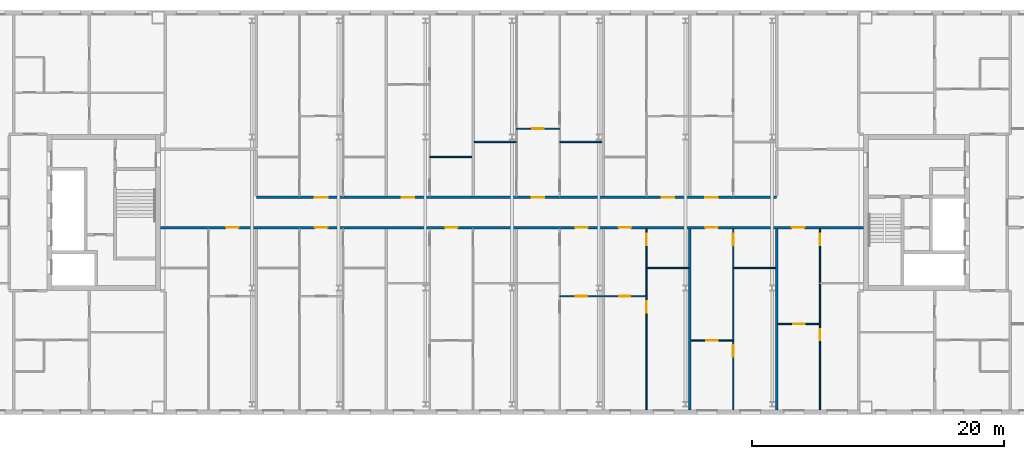
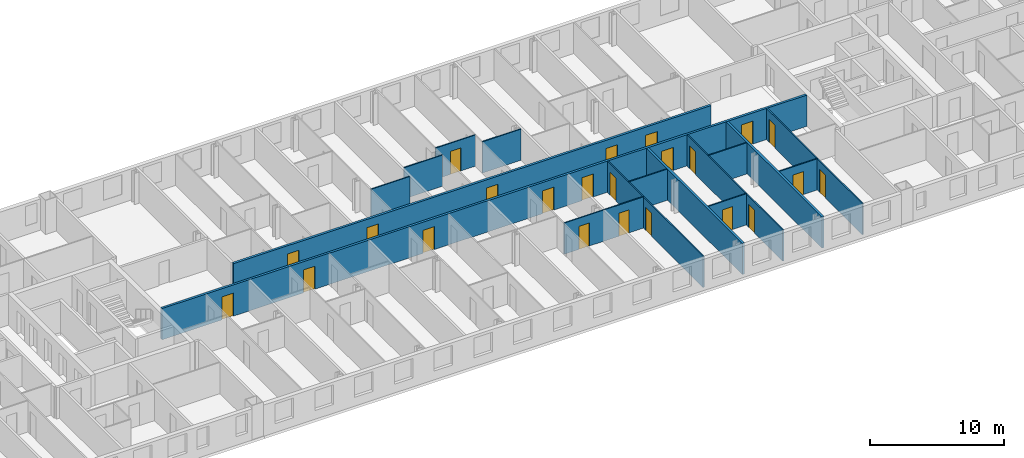
# One storey, part 11 of 19: 23 doors, 16 walls, 23 openings.
"""IFC4 building model written with IfcOpenShell, lengths in metres."""

from ifc_helpers import new_model, si_unit, direction, frame, frame_2d, origin, place, context, subcontext, project, spatial, rectangle, extrude, material, layer, layer_set, type_object, element, fill, save


model = new_model("IFC4")

# Units and contexts
model_context = context("Model", 3, precision=1e-05, world=origin(), true_north=direction((0.0, 1.0)))
body_context = subcontext(model_context, "Body", "Model", "MODEL_VIEW")
ifc_project = project(units=[si_unit("LENGTHUNIT", "METRE"), si_unit("AREAUNIT", "SQUARE_METRE"), si_unit("VOLUMEUNIT", "CUBIC_METRE"), si_unit("PLANEANGLEUNIT", "RADIAN"), si_unit("MASSUNIT", "GRAM", prefix="KILO")], contexts=[model_context])

# Site, building, storey
site_placement = place(None, origin())
site = spatial("IfcSite", under=ifc_project, at=site_placement, CompositionType="ELEMENT")
building_placement = place(site_placement, origin())
building = spatial("IfcBuilding", under=site, at=building_placement, Name="Tuart Gate Housing", CompositionType="ELEMENT")
storey_placement = place(building_placement, frame((0.0, 0.0, 205.89990234375)))
storey = spatial("IfcBuildingStorey", under=building, at=storey_placement, Name="L58", CompositionType="ELEMENT", Elevation=205.89990234375)

# Wall, openings, doors
ifc_material_1 = material(Name="Concrete masonry 15 MPa", Category="masonry")
ifc_layer_1 = layer(ifc_material_1, 0.199951171875)
ifc_layer_set_1 = layer_set([ifc_layer_1], Name="Corridor wall masonry 200")
wall_type_1 = type_object("IfcWallType", Name="Corridor wall masonry 200", PredefinedType="PARTITIONING", material=ifc_layer_set_1)
wall_1_placement = place(storey_placement, frame((75.639892578125, 68.800048828125, 0.0), z_axis=(0.0, 0.0, 1.0), x_axis=(1.0, 0.0, 0.0)))
wall_1 = element("IfcWall", 1, at=wall_1_placement, inside=storey, type_object=wall_type_1, Name="Corridor wall masonry 200", PredefinedType="PARTITIONING", context=body_context, shape_type="SweptSolid", body=[
    extrude(rectangle(XDim=55.72021484375, YDim=0.199951171875, at=frame_2d((27.860107421875, 0.0))), origin(), (0.0, 0.0, 1.0), 2.85009765625),
])
opening_1_placement = place(wall_1_placement, frame((5.19140625, 0.0, 0.0)))
opening_1 = element("IfcOpeningElement", 2, at=opening_1_placement, cuts=wall_1, Name="Opening D2028", PredefinedType="OPENING", context=body_context, shape_type="SweptSolid", body=[
    extrude(rectangle(XDim=1.0, YDim=2.10009765625, at=frame_2d((0.5, 1.050048828125))), frame((0.0, 0.10986328125, 0.0), z_axis=(0.0, -1.0, 0.0), x_axis=(1.0, 0.0, 0.0)), (0.0, 0.0, 1.0), 0.219970703125),
])
opening_2_placement = place(wall_1_placement, frame((12.240966796875, 0.0, 0.0)))
opening_2 = element("IfcOpeningElement", 3, at=opening_2_placement, cuts=wall_1, Name="Opening D2029", PredefinedType="OPENING", context=body_context, shape_type="SweptSolid", body=[
    extrude(rectangle(XDim=1.0, YDim=2.10009765625, at=frame_2d((0.5, 1.050048828125))), frame((0.0, 0.10986328125, 0.0), z_axis=(0.0, -1.0, 0.0), x_axis=(1.0, 0.0, 0.0)), (0.0, 0.0, 1.0), 0.219970703125),
])
opening_3_placement = place(wall_1_placement, frame((22.553466796875, 0.0, 0.0)))
opening_3 = element("IfcOpeningElement", 4, at=opening_3_placement, cuts=wall_1, Name="Opening D2030", PredefinedType="OPENING", context=body_context, shape_type="SweptSolid", body=[
    extrude(rectangle(XDim=1.0, YDim=2.10009765625, at=frame_2d((0.5, 1.050048828125))), frame((0.0, 0.10986328125, 0.0), z_axis=(0.0, -1.0, 0.0), x_axis=(1.0, 0.0, 0.0)), (0.0, 0.0, 1.0), 0.219970703125),
])
opening_4_placement = place(wall_1_placement, frame((32.865966796875, 0.0, 0.0)))
opening_4 = element("IfcOpeningElement", 5, at=opening_4_placement, cuts=wall_1, Name="Opening D2031", PredefinedType="OPENING", context=body_context, shape_type="SweptSolid", body=[
    extrude(rectangle(XDim=1.0, YDim=2.10009765625, at=frame_2d((0.5, 1.050048828125))), frame((0.0, 0.10986328125, 0.0), z_axis=(0.0, -1.0, 0.0), x_axis=(1.0, 0.0, 0.0)), (0.0, 0.0, 1.0), 0.219970703125),
])
opening_5_placement = place(wall_1_placement, frame((36.303466796875, 0.0, 0.0)))
opening_5 = element("IfcOpeningElement", 6, at=opening_5_placement, cuts=wall_1, Name="Opening D2032", PredefinedType="OPENING", context=body_context, shape_type="SweptSolid", body=[
    extrude(rectangle(XDim=1.0, YDim=2.10009765625, at=frame_2d((0.5, 1.050048828125))), frame((0.0, 0.10986328125, 0.0), z_axis=(0.0, -1.0, 0.0), x_axis=(1.0, 0.0, 0.0)), (0.0, 0.0, 1.0), 0.219970703125),
])
opening_6_placement = place(wall_1_placement, frame((43.178466796875, 0.0, 0.0)))
opening_6 = element("IfcOpeningElement", 7, at=opening_6_placement, cuts=wall_1, Name="Opening D2033", PredefinedType="OPENING", context=body_context, shape_type="SweptSolid", body=[
    extrude(rectangle(XDim=1.0, YDim=2.10009765625, at=frame_2d((0.5, 1.050048828125))), frame((0.0, 0.10986328125, 0.0), z_axis=(0.0, -1.0, 0.0), x_axis=(1.0, 0.0, 0.0)), (0.0, 0.0, 1.0), 0.219970703125),
])
opening_7_placement = place(wall_1_placement, frame((50.053466796875, 0.0, 0.0)))
opening_7 = element("IfcOpeningElement", 8, at=opening_7_placement, cuts=wall_1, Name="Opening D2034", PredefinedType="OPENING", context=body_context, shape_type="SweptSolid", body=[
    extrude(rectangle(XDim=1.0, YDim=2.10009765625, at=frame_2d((0.5, 1.050048828125))), frame((0.0, 0.10986328125, 0.0), z_axis=(0.0, -1.0, 0.0), x_axis=(1.0, 0.0, 0.0)), (0.0, 0.0, 1.0), 0.219970703125),
])
ifc_material_2 = material(Name="Timber door leaf in steel frame", Category="steel")
door_type_1 = type_object("IfcDoorType", Name="Flat entrance door 1000 RH", OperationType="SINGLE_SWING_RIGHT", PredefinedType="DOOR", material=ifc_material_2)
door_1_placement = place(opening_1_placement, frame((1.0, 0.0, 0.0), z_axis=(0.0, 0.0, 1.0), x_axis=(-1.0, 0.0, 0.0)))
door_1 = element("IfcDoor", 9, at=door_1_placement, inside=storey, type_object=door_type_1, Name="Flat entrance door", OperationType="SINGLE_SWING_RIGHT", OverallHeight=2.10009765625, OverallWidth=1.0, PredefinedType="DOOR", context=body_context, shape_type="SweptSolid", body=[
    extrude(rectangle(XDim=1.0, YDim=2.10009765625, at=frame_2d((0.5, 1.050048828125))), frame((0.0, 0.025146484375, 0.0), z_axis=(0.0, -1.0, 0.0), x_axis=(1.0, 0.0, 0.0)), (0.0, 0.0, 1.0), 0.050048828125),
])
fill(opening_1, door_1)
door_2_placement = place(opening_2_placement, frame((1.0, 0.0, 0.0), z_axis=(0.0, 0.0, 1.0), x_axis=(-1.0, 0.0, 0.0)))
door_2 = element("IfcDoor", 10, at=door_2_placement, inside=storey, type_object=door_type_1, Name="Flat entrance door", OperationType="SINGLE_SWING_RIGHT", OverallHeight=2.10009765625, OverallWidth=1.0, PredefinedType="DOOR", context=body_context, shape_type="SweptSolid", body=[
    extrude(rectangle(XDim=1.0, YDim=2.10009765625, at=frame_2d((0.5, 1.050048828125))), frame((0.0, 0.025146484375, 0.0), z_axis=(0.0, -1.0, 0.0), x_axis=(1.0, 0.0, 0.0)), (0.0, 0.0, 1.0), 0.050048828125),
])
fill(opening_2, door_2)
door_3_placement = place(opening_3_placement, frame((1.0, 0.0, 0.0), z_axis=(0.0, 0.0, 1.0), x_axis=(-1.0, 0.0, 0.0)))
door_3 = element("IfcDoor", 11, at=door_3_placement, inside=storey, type_object=door_type_1, Name="Flat entrance door", OperationType="SINGLE_SWING_RIGHT", OverallHeight=2.10009765625, OverallWidth=1.0, PredefinedType="DOOR", context=body_context, shape_type="SweptSolid", body=[
    extrude(rectangle(XDim=1.0, YDim=2.10009765625, at=frame_2d((0.5, 1.050048828125))), frame((0.0, 0.025146484375, 0.0), z_axis=(0.0, -1.0, 0.0), x_axis=(1.0, 0.0, 0.0)), (0.0, 0.0, 1.0), 0.050048828125),
])
fill(opening_3, door_3)
door_4_placement = place(opening_4_placement, frame((1.0, 0.0, 0.0), z_axis=(0.0, 0.0, 1.0), x_axis=(-1.0, 0.0, 0.0)))
door_4 = element("IfcDoor", 12, at=door_4_placement, inside=storey, type_object=door_type_1, Name="Flat entrance door", OperationType="SINGLE_SWING_RIGHT", OverallHeight=2.10009765625, OverallWidth=1.0, PredefinedType="DOOR", context=body_context, shape_type="SweptSolid", body=[
    extrude(rectangle(XDim=1.0, YDim=2.10009765625, at=frame_2d((0.5, 1.050048828125))), frame((0.0, 0.025146484375, 0.0), z_axis=(0.0, -1.0, 0.0), x_axis=(1.0, 0.0, 0.0)), (0.0, 0.0, 1.0), 0.050048828125),
])
fill(opening_4, door_4)
door_5_placement = place(opening_5_placement, frame((1.0, 0.0, 0.0), z_axis=(0.0, 0.0, 1.0), x_axis=(-1.0, 0.0, 0.0)))
door_5 = element("IfcDoor", 13, at=door_5_placement, inside=storey, type_object=door_type_1, Name="Flat entrance door", OperationType="SINGLE_SWING_RIGHT", OverallHeight=2.10009765625, OverallWidth=1.0, PredefinedType="DOOR", context=body_context, shape_type="SweptSolid", body=[
    extrude(rectangle(XDim=1.0, YDim=2.10009765625, at=frame_2d((0.5, 1.050048828125))), frame((0.0, 0.025146484375, 0.0), z_axis=(0.0, -1.0, 0.0), x_axis=(1.0, 0.0, 0.0)), (0.0, 0.0, 1.0), 0.050048828125),
])
fill(opening_5, door_5)
door_6_placement = place(opening_6_placement, frame((1.0, 0.0, 0.0), z_axis=(0.0, 0.0, 1.0), x_axis=(-1.0, 0.0, 0.0)))
door_6 = element("IfcDoor", 14, at=door_6_placement, inside=storey, type_object=door_type_1, Name="Flat entrance door", OperationType="SINGLE_SWING_RIGHT", OverallHeight=2.10009765625, OverallWidth=1.0, PredefinedType="DOOR", context=body_context, shape_type="SweptSolid", body=[
    extrude(rectangle(XDim=1.0, YDim=2.10009765625, at=frame_2d((0.5, 1.050048828125))), frame((0.0, 0.025146484375, 0.0), z_axis=(0.0, -1.0, 0.0), x_axis=(1.0, 0.0, 0.0)), (0.0, 0.0, 1.0), 0.050048828125),
])
fill(opening_6, door_6)
door_7_placement = place(opening_7_placement, frame((1.0, 0.0, 0.0), z_axis=(0.0, 0.0, 1.0), x_axis=(-1.0, 0.0, 0.0)))
door_7 = element("IfcDoor", 15, at=door_7_placement, inside=storey, type_object=door_type_1, Name="Flat entrance door", OperationType="SINGLE_SWING_RIGHT", OverallHeight=2.10009765625, OverallWidth=1.0, PredefinedType="DOOR", context=body_context, shape_type="SweptSolid", body=[
    extrude(rectangle(XDim=1.0, YDim=2.10009765625, at=frame_2d((0.5, 1.050048828125))), frame((0.0, 0.025146484375, 0.0), z_axis=(0.0, -1.0, 0.0), x_axis=(1.0, 0.0, 0.0)), (0.0, 0.0, 1.0), 0.050048828125),
])
fill(opening_7, door_7)

wall_2_placement = place(storey_placement, frame((83.22509765625, 71.199951171875, 0.0), z_axis=(0.0, 0.0, 1.0), x_axis=(1.0, 0.0, 0.0)))
wall_2 = element("IfcWall", 16, at=wall_2_placement, inside=storey, type_object=wall_type_1, Name="Corridor wall masonry 200", PredefinedType="PARTITIONING", context=body_context, shape_type="SweptSolid", body=[
    extrude(rectangle(XDim=41.25, YDim=0.199951171875, at=frame_2d((20.625, 0.0))), origin(), (0.0, 0.0, 1.0), 2.85009765625),
])
opening_8_placement = place(wall_2_placement, frame((4.656005859375, 0.0, 0.0)))
opening_8 = element("IfcOpeningElement", 17, at=opening_8_placement, cuts=wall_2, Name="Opening D2023", PredefinedType="OPENING", context=body_context, shape_type="SweptSolid", body=[
    extrude(rectangle(XDim=1.0, YDim=2.10009765625, at=frame_2d((0.5, 1.050048828125))), frame((0.0, 0.10986328125, 0.0), z_axis=(0.0, -1.0, 0.0), x_axis=(1.0, 0.0, 0.0)), (0.0, 0.0, 1.0), 0.219970703125),
])
opening_9_placement = place(wall_2_placement, frame((11.531005859375, 0.0, 0.0)))
opening_9 = element("IfcOpeningElement", 18, at=opening_9_placement, cuts=wall_2, Name="Opening D2024", PredefinedType="OPENING", context=body_context, shape_type="SweptSolid", body=[
    extrude(rectangle(XDim=1.0, YDim=2.10009765625, at=frame_2d((0.5, 1.050048828125))), frame((0.0, 0.10986328125, 0.0), z_axis=(0.0, -1.0, 0.0), x_axis=(1.0, 0.0, 0.0)), (0.0, 0.0, 1.0), 0.219970703125),
])
opening_10_placement = place(wall_2_placement, frame((21.843505859375, 0.0, 0.0)))
opening_10 = element("IfcOpeningElement", 19, at=opening_10_placement, cuts=wall_2, Name="Opening D2025", PredefinedType="OPENING", context=body_context, shape_type="SweptSolid", body=[
    extrude(rectangle(XDim=1.0, YDim=2.10009765625, at=frame_2d((0.5, 1.050048828125))), frame((0.0, 0.10986328125, 0.0), z_axis=(0.0, -1.0, 0.0), x_axis=(1.0, 0.0, 0.0)), (0.0, 0.0, 1.0), 0.219970703125),
])
opening_11_placement = place(wall_2_placement, frame((32.156005859375, 0.0, 0.0)))
opening_11 = element("IfcOpeningElement", 20, at=opening_11_placement, cuts=wall_2, Name="Opening D2026", PredefinedType="OPENING", context=body_context, shape_type="SweptSolid", body=[
    extrude(rectangle(XDim=1.0, YDim=2.10009765625, at=frame_2d((0.5, 1.050048828125))), frame((0.0, 0.10986328125, 0.0), z_axis=(0.0, -1.0, 0.0), x_axis=(1.0, 0.0, 0.0)), (0.0, 0.0, 1.0), 0.219970703125),
])
opening_12_placement = place(wall_2_placement, frame((35.593505859375, 0.0, 0.0)))
opening_12 = element("IfcOpeningElement", 21, at=opening_12_placement, cuts=wall_2, Name="Opening D2027", PredefinedType="OPENING", context=body_context, shape_type="SweptSolid", body=[
    extrude(rectangle(XDim=1.0, YDim=2.10009765625, at=frame_2d((0.5, 1.050048828125))), frame((0.0, 0.10986328125, 0.0), z_axis=(0.0, -1.0, 0.0), x_axis=(1.0, 0.0, 0.0)), (0.0, 0.0, 1.0), 0.219970703125),
])
ifc_material_3 = material(Name="Timber door leaf in steel frame", Category="steel")
door_type_2 = type_object("IfcDoorType", Name="Flat entrance door 1000", OperationType="SINGLE_SWING_LEFT", PredefinedType="DOOR", material=ifc_material_3)
door_8_placement = place(opening_8_placement, origin())
door_8 = element("IfcDoor", 22, at=door_8_placement, inside=storey, type_object=door_type_2, Name="Flat entrance door", OperationType="SINGLE_SWING_LEFT", OverallHeight=2.10009765625, OverallWidth=1.0, PredefinedType="DOOR", context=body_context, shape_type="SweptSolid", body=[
    extrude(rectangle(XDim=1.0, YDim=2.10009765625, at=frame_2d((0.5, 1.050048828125))), frame((0.0, 0.02490234375, 0.0), z_axis=(0.0, -1.0, 0.0), x_axis=(1.0, 0.0, 0.0)), (0.0, 0.0, 1.0), 0.050048828125),
])
fill(opening_8, door_8)
door_9_placement = place(opening_9_placement, origin())
door_9 = element("IfcDoor", 23, at=door_9_placement, inside=storey, type_object=door_type_2, Name="Flat entrance door", OperationType="SINGLE_SWING_LEFT", OverallHeight=2.10009765625, OverallWidth=1.0, PredefinedType="DOOR", context=body_context, shape_type="SweptSolid", body=[
    extrude(rectangle(XDim=1.0, YDim=2.10009765625, at=frame_2d((0.5, 1.050048828125))), frame((0.0, 0.02490234375, 0.0), z_axis=(0.0, -1.0, 0.0), x_axis=(1.0, 0.0, 0.0)), (0.0, 0.0, 1.0), 0.050048828125),
])
fill(opening_9, door_9)
door_10_placement = place(opening_10_placement, origin())
door_10 = element("IfcDoor", 24, at=door_10_placement, inside=storey, type_object=door_type_2, Name="Flat entrance door", OperationType="SINGLE_SWING_LEFT", OverallHeight=2.10009765625, OverallWidth=1.0, PredefinedType="DOOR", context=body_context, shape_type="SweptSolid", body=[
    extrude(rectangle(XDim=1.0, YDim=2.10009765625, at=frame_2d((0.5, 1.050048828125))), frame((0.0, 0.02490234375, 0.0), z_axis=(0.0, -1.0, 0.0), x_axis=(1.0, 0.0, 0.0)), (0.0, 0.0, 1.0), 0.050048828125),
])
fill(opening_10, door_10)
door_11_placement = place(opening_11_placement, origin())
door_11 = element("IfcDoor", 25, at=door_11_placement, inside=storey, type_object=door_type_2, Name="Flat entrance door", OperationType="SINGLE_SWING_LEFT", OverallHeight=2.10009765625, OverallWidth=1.0, PredefinedType="DOOR", context=body_context, shape_type="SweptSolid", body=[
    extrude(rectangle(XDim=1.0, YDim=2.10009765625, at=frame_2d((0.5, 1.050048828125))), frame((0.0, 0.02490234375, 0.0), z_axis=(0.0, -1.0, 0.0), x_axis=(1.0, 0.0, 0.0)), (0.0, 0.0, 1.0), 0.050048828125),
])
fill(opening_11, door_11)
door_12_placement = place(opening_12_placement, origin())
door_12 = element("IfcDoor", 26, at=door_12_placement, inside=storey, type_object=door_type_2, Name="Flat entrance door", OperationType="SINGLE_SWING_LEFT", OverallHeight=2.10009765625, OverallWidth=1.0, PredefinedType="DOOR", context=body_context, shape_type="SweptSolid", body=[
    extrude(rectangle(XDim=1.0, YDim=2.10009765625, at=frame_2d((0.5, 1.050048828125))), frame((0.0, 0.02490234375, 0.0), z_axis=(0.0, -1.0, 0.0), x_axis=(1.0, 0.0, 0.0)), (0.0, 0.0, 1.0), 0.050048828125),
])
fill(opening_12, door_12)

# Wall, opening, door
ifc_material_4 = material(Name="Gypsum board on steel studs", Category="steel")
ifc_layer_2 = layer(ifc_material_4, 0.10009765625)
ifc_layer_set_2 = layer_set([ifc_layer_2], Name="Partition 100")
wall_type_2 = type_object("IfcWallType", Name="Partition 100", PredefinedType="PARTITIONING", material=ifc_layer_set_2)
wall_3_placement = place(storey_placement, frame((117.699951171875, 59.860107421875, 0.0), z_axis=(0.0, 0.0, 1.0), x_axis=(1.0, 0.0, 0.0)))
wall_3 = element("IfcWall", 27, at=wall_3_placement, inside=storey, type_object=wall_type_2, Name="Partition 100", PredefinedType="PARTITIONING", context=body_context, shape_type="SweptSolid", body=[
    extrude(rectangle(XDim=3.337158203125, YDim=0.10009765625, at=frame_2d((1.66845703125, 0.0))), origin(), (0.0, 0.0, 1.0), 2.85009765625),
])
opening_13_placement = place(wall_3_placement, frame((1.218505859375, 0.0, 0.0)))
opening_13 = element("IfcOpeningElement", 28, at=opening_13_placement, cuts=wall_3, Name="Opening D2059", PredefinedType="OPENING", context=body_context, shape_type="SweptSolid", body=[
    extrude(rectangle(XDim=0.89990234375, YDim=2.10009765625, at=frame_2d((0.449951171875, 1.050048828125))), frame((0.0, 0.06005859375, 0.0), z_axis=(0.0, -1.0, 0.0), x_axis=(1.0, 0.0, 0.0)), (0.0, 0.0, 1.0), 0.1201171875),
])
ifc_material_5 = material(Name="Timber door leaf in steel frame", Category="steel")
door_type_3 = type_object("IfcDoorType", Name="Internal door 900 RH", OperationType="SINGLE_SWING_RIGHT", PredefinedType="DOOR", material=ifc_material_5)
door_13_placement = place(opening_13_placement, origin())
door_13 = element("IfcDoor", 29, at=door_13_placement, inside=storey, type_object=door_type_3, Name="Internal door", OperationType="SINGLE_SWING_RIGHT", OverallHeight=2.10009765625, OverallWidth=0.89990234375, PredefinedType="DOOR", context=body_context, shape_type="SweptSolid", body=[
    extrude(rectangle(XDim=0.89990234375, YDim=2.10009765625, at=frame_2d((0.449951171875, 1.050048828125))), frame((0.0, 0.02490234375, 0.0), z_axis=(0.0, -1.0, 0.0), x_axis=(1.0, 0.0, 0.0)), (0.0, 0.0, 1.0), 0.050048828125),
])
fill(opening_13, door_13)

wall_4_placement = place(storey_placement, frame((124.574951171875, 61.159912109375, 0.0), z_axis=(0.0, 0.0, 1.0), x_axis=(1.0, 0.0, 0.0)))
wall_4 = element("IfcWall", 30, at=wall_4_placement, inside=storey, type_object=wall_type_2, Name="Partition 100", PredefinedType="PARTITIONING", context=body_context, shape_type="SweptSolid", body=[
    extrude(rectangle(XDim=3.337158203125, YDim=0.10009765625, at=frame_2d((1.66845703125, 0.0))), origin(), (0.0, 0.0, 1.0), 2.85009765625),
])
opening_14_placement = place(wall_4_placement, frame((1.218505859375, 0.0, 0.0)))
opening_14 = element("IfcOpeningElement", 31, at=opening_14_placement, cuts=wall_4, Name="Opening D2057", PredefinedType="OPENING", context=body_context, shape_type="SweptSolid", body=[
    extrude(rectangle(XDim=0.89990234375, YDim=2.10009765625, at=frame_2d((0.449951171875, 1.050048828125))), frame((0.0, 0.06005859375, 0.0), z_axis=(0.0, -1.0, 0.0), x_axis=(1.0, 0.0, 0.0)), (0.0, 0.0, 1.0), 0.1201171875),
])
door_14_placement = place(opening_14_placement, origin())
door_14 = element("IfcDoor", 32, at=door_14_placement, inside=storey, type_object=door_type_3, Name="Internal door", OperationType="SINGLE_SWING_RIGHT", OverallHeight=2.10009765625, OverallWidth=0.89990234375, PredefinedType="DOOR", context=body_context, shape_type="SweptSolid", body=[
    extrude(rectangle(XDim=0.89990234375, YDim=2.10009765625, at=frame_2d((0.449951171875, 1.050048828125))), frame((0.0, 0.02490234375, 0.0), z_axis=(0.0, -1.0, 0.0), x_axis=(1.0, 0.0, 0.0)), (0.0, 0.0, 1.0), 0.050048828125),
])
fill(opening_14, door_14)

# Wall, openings, doors
wall_5_placement = place(storey_placement, frame((107.287109375, 63.360107421875, 0.0), z_axis=(0.0, 0.0, 1.0), x_axis=(1.0, 0.0, 0.0)))
wall_5 = element("IfcWall", 33, at=wall_5_placement, inside=storey, type_object=wall_type_2, Name="Partition 100", PredefinedType="PARTITIONING", context=body_context, shape_type="SweptSolid", body=[
    extrude(rectangle(XDim=6.875, YDim=0.10009765625, at=frame_2d((3.4375, 0.0))), origin(), (0.0, 0.0, 1.0), 2.85009765625),
])
opening_15_placement = place(wall_5_placement, frame((1.26904296875, 0.0, 0.0)))
opening_15 = element("IfcOpeningElement", 34, at=opening_15_placement, cuts=wall_5, Name="Opening D2037", PredefinedType="OPENING", context=body_context, shape_type="SweptSolid", body=[
    extrude(rectangle(XDim=0.89990234375, YDim=2.10009765625, at=frame_2d((0.449951171875, 1.050048828125))), frame((0.0, 0.06005859375, 0.0), z_axis=(0.0, -1.0, 0.0), x_axis=(1.0, 0.0, 0.0)), (0.0, 0.0, 1.0), 0.1201171875),
])
opening_16_placement = place(wall_5_placement, frame((4.70654296875, 0.0, 0.0)))
opening_16 = element("IfcOpeningElement", 35, at=opening_16_placement, cuts=wall_5, Name="Opening D2038", PredefinedType="OPENING", context=body_context, shape_type="SweptSolid", body=[
    extrude(rectangle(XDim=0.89990234375, YDim=2.10009765625, at=frame_2d((0.449951171875, 1.050048828125))), frame((0.0, 0.06005859375, 0.0), z_axis=(0.0, -1.0, 0.0), x_axis=(1.0, 0.0, 0.0)), (0.0, 0.0, 1.0), 0.1201171875),
])
ifc_material_6 = material(Name="Timber door leaf in steel frame", Category="steel")
door_type_4 = type_object("IfcDoorType", Name="Internal door 900", OperationType="SINGLE_SWING_LEFT", PredefinedType="DOOR", material=ifc_material_6)
door_15_placement = place(opening_15_placement, origin())
door_15 = element("IfcDoor", 36, at=door_15_placement, inside=storey, type_object=door_type_4, Name="Internal door", OperationType="SINGLE_SWING_LEFT", OverallHeight=2.10009765625, OverallWidth=0.89990234375, PredefinedType="DOOR", context=body_context, shape_type="SweptSolid", body=[
    extrude(rectangle(XDim=0.89990234375, YDim=2.10009765625, at=frame_2d((0.449951171875, 1.050048828125))), frame((0.0, 0.02490234375, 0.0), z_axis=(0.0, -1.0, 0.0), x_axis=(1.0, 0.0, 0.0)), (0.0, 0.0, 1.0), 0.050048828125),
])
fill(opening_15, door_15)
door_16_placement = place(opening_16_placement, origin())
door_16 = element("IfcDoor", 37, at=door_16_placement, inside=storey, type_object=door_type_4, Name="Internal door", OperationType="SINGLE_SWING_LEFT", OverallHeight=2.10009765625, OverallWidth=0.89990234375, PredefinedType="DOOR", context=body_context, shape_type="SweptSolid", body=[
    extrude(rectangle(XDim=0.89990234375, YDim=2.10009765625, at=frame_2d((0.449951171875, 1.050048828125))), frame((0.0, 0.02490234375, 0.0), z_axis=(0.0, -1.0, 0.0), x_axis=(1.0, 0.0, 0.0)), (0.0, 0.0, 1.0), 0.050048828125),
])
fill(opening_16, door_16)

# Walls
for number, where, z_axis, x_axis, name in (
    (38, (114.162109375, 65.60009765625, 0.0), (0.0, 0.0, 1.0), (1.0, 0.0, 0.0), "Partition 100"),
    (39, (121.037109375, 65.60009765625, 0.0), (0.0, 0.0, 1.0), (1.0, 0.0, 0.0), "Partition 100"),
):
    element("IfcWall", number, at=place(storey_placement, frame(where, z_axis=z_axis, x_axis=x_axis)), inside=storey, type_object=wall_type_2, Name=name, PredefinedType="PARTITIONING", context=body_context, shape_type="SweptSolid", body=[
        extrude(rectangle(XDim=3.337890625, YDim=0.10009765625, at=frame_2d((1.6689453125, 0.0))), origin(), (0.0, 0.0, 1.0), 2.85009765625),
    ])
wall_6_placement = place(storey_placement, frame((96.97509765625, 74.39990234375, 0.0), z_axis=(0.0, 0.0, 1.0), x_axis=(1.0, 0.0, 0.0)))
element("IfcWall", 40, at=wall_6_placement, inside=storey, type_object=wall_type_2, Name="Partition 100", PredefinedType="PARTITIONING", context=body_context, shape_type="SweptSolid", body=[
    extrude(rectangle(XDim=3.3369140625, YDim=0.10009765625, at=frame_2d((1.66845703125, 0.0))), origin(), (0.0, 0.0, 1.0), 2.85009765625),
])
wall_7_placement = place(storey_placement, frame((100.511962890625, 75.60009765625, 0.0), z_axis=(0.0, 0.0, 1.0), x_axis=(1.0, 0.0, 0.0)))
element("IfcWall", 41, at=wall_7_placement, inside=storey, type_object=wall_type_2, Name="Partition 100", PredefinedType="PARTITIONING", context=body_context, shape_type="SweptSolid", body=[
    extrude(rectangle(XDim=3.338134765625, YDim=0.10009765625, at=frame_2d((1.6689453125, 0.0))), origin(), (0.0, 0.0, 1.0), 2.85009765625),
])
wall_8_placement = place(storey_placement, frame((107.287109375, 75.60009765625, 0.0), z_axis=(0.0, 0.0, 1.0), x_axis=(1.0, 0.0, 0.0)))
element("IfcWall", 42, at=wall_8_placement, inside=storey, type_object=wall_type_2, Name="Partition 100", PredefinedType="PARTITIONING", context=body_context, shape_type="SweptSolid", body=[
    extrude(rectangle(XDim=3.337890625, YDim=0.10009765625, at=frame_2d((1.6689453125, 0.0))), origin(), (0.0, 0.0, 1.0), 2.85009765625),
])

# Wall, opening, door
wall_9_placement = place(storey_placement, frame((103.85009765625, 76.639892578125, 0.0), z_axis=(0.0, 0.0, 1.0), x_axis=(1.0, 0.0, 0.0)))
wall_9 = element("IfcWall", 43, at=wall_9_placement, inside=storey, type_object=wall_type_2, Name="Partition 100", PredefinedType="PARTITIONING", context=body_context, shape_type="SweptSolid", body=[
    extrude(rectangle(XDim=3.43701171875, YDim=0.10009765625, at=frame_2d((1.718505859375, 0.0))), origin(), (0.0, 0.0, 1.0), 2.85009765625),
])
opening_17_placement = place(wall_9_placement, frame((1.2685546875, 0.0, 0.0)))
opening_17 = element("IfcOpeningElement", 44, at=opening_17_placement, cuts=wall_9, Name="Opening D2020", PredefinedType="OPENING", context=body_context, shape_type="SweptSolid", body=[
    extrude(rectangle(XDim=0.89990234375, YDim=2.10009765625, at=frame_2d((0.449951171875, 1.050048828125))), frame((0.0, 0.06005859375, 0.0), z_axis=(0.0, -1.0, 0.0), x_axis=(1.0, 0.0, 0.0)), (0.0, 0.0, 1.0), 0.1201171875),
])
door_17_placement = place(opening_17_placement, frame((0.89990234375, 0.0, 0.0), z_axis=(0.0, 0.0, 1.0), x_axis=(-1.0, 0.0, 0.0)))
door_17 = element("IfcDoor", 45, at=door_17_placement, inside=storey, type_object=door_type_3, Name="Internal door", OperationType="SINGLE_SWING_RIGHT", OverallHeight=2.10009765625, OverallWidth=0.89990234375, PredefinedType="DOOR", context=body_context, shape_type="SweptSolid", body=[
    extrude(rectangle(XDim=0.89990234375, YDim=2.10009765625, at=frame_2d((0.449951171875, 1.050048828125))), frame((0.0, 0.025146484375, 0.0), z_axis=(0.0, -1.0, 0.0), x_axis=(1.0, 0.0, 0.0)), (0.0, 0.0, 1.0), 0.050048828125),
])
fill(opening_17, door_17)

# Wall, openings, doors
wall_10_placement = place(storey_placement, frame((114.162109375, 54.360107421875, 0.0), z_axis=(0.0, 0.0, 1.0), x_axis=(0.0, 1.0, 0.0)))
wall_10 = element("IfcWall", 46, at=wall_10_placement, inside=storey, type_object=wall_type_2, Name="Partition 100", PredefinedType="PARTITIONING", context=body_context, shape_type="SweptSolid", body=[
    extrude(rectangle(XDim=14.33984375, YDim=0.10009765625, at=frame_2d((7.169921875, 0.0))), origin(), (0.0, 0.0, 1.0), 2.85009765625),
])
opening_18_placement = place(wall_10_placement, frame((7.699951171875, 0.0, 0.0)))
opening_18 = element("IfcOpeningElement", 47, at=opening_18_placement, cuts=wall_10, Name="Opening D2052", PredefinedType="OPENING", context=body_context, shape_type="SweptSolid", body=[
    extrude(rectangle(XDim=0.89990234375, YDim=2.10009765625, at=frame_2d((0.449951171875, 1.050048828125))), frame((0.0, 0.06005859375, 0.0), z_axis=(0.0, -1.0, 0.0), x_axis=(1.0, 0.0, 0.0)), (0.0, 0.0, 1.0), 0.1201171875),
])
opening_19_placement = place(wall_10_placement, frame((13.0400390625, 0.0, 0.0)))
opening_19 = element("IfcOpeningElement", 48, at=opening_19_placement, cuts=wall_10, Name="Opening D2051", PredefinedType="OPENING", context=body_context, shape_type="SweptSolid", body=[
    extrude(rectangle(XDim=0.89990234375, YDim=2.10009765625, at=frame_2d((0.449951171875, 1.050048828125))), frame((0.0, 0.06005859375, 0.0), z_axis=(0.0, -1.0, 0.0), x_axis=(1.0, 0.0, 0.0)), (0.0, 0.0, 1.0), 0.1201171875),
])
ifc_material_7 = material(Name="Timber door leaf in steel frame", Category="steel")
door_type_5 = type_object("IfcDoorType", Name="Bathroom door 900", OperationType="SINGLE_SWING_LEFT", PredefinedType="DOOR", material=ifc_material_7)
door_18_placement = place(opening_19_placement, frame((0.89990234375, 0.0, 0.0), z_axis=(0.0, 0.0, 1.0), x_axis=(-1.0, 0.0, 0.0)))
door_18 = element("IfcDoor", 49, at=door_18_placement, inside=storey, type_object=door_type_5, Name="Bathroom door", OperationType="SINGLE_SWING_LEFT", OverallHeight=2.10009765625, OverallWidth=0.89990234375, PredefinedType="DOOR", context=body_context, shape_type="SweptSolid", body=[
    extrude(rectangle(XDim=0.89990234375, YDim=2.10009765625, at=frame_2d((0.449951171875, 1.050048828125))), frame((0.0, 0.025146484375, 0.0), z_axis=(0.0, -1.0, 0.0), x_axis=(1.0, 0.0, 0.0)), (0.0, 0.0, 1.0), 0.050048828125),
])
fill(opening_19, door_18)
door_19_placement = place(opening_18_placement, frame((0.89990234375, 0.0, 0.0), z_axis=(0.0, 0.0, 1.0), x_axis=(-1.0, 0.0, 0.0)))
door_19 = element("IfcDoor", 50, at=door_19_placement, inside=storey, type_object=door_type_4, Name="Internal door", OperationType="SINGLE_SWING_LEFT", OverallHeight=2.10009765625, OverallWidth=0.89990234375, PredefinedType="DOOR", context=body_context, shape_type="SweptSolid", body=[
    extrude(rectangle(XDim=0.89990234375, YDim=2.10009765625, at=frame_2d((0.449951171875, 1.050048828125))), frame((0.0, 0.025146484375, 0.0), z_axis=(0.0, -1.0, 0.0), x_axis=(1.0, 0.0, 0.0)), (0.0, 0.0, 1.0), 0.050048828125),
])
fill(opening_18, door_19)

wall_11_placement = place(storey_placement, frame((121.037109375, 54.360107421875, 0.0), z_axis=(0.0, 0.0, 1.0), x_axis=(0.0, 1.0, 0.0)))
wall_11 = element("IfcWall", 51, at=wall_11_placement, inside=storey, type_object=wall_type_2, Name="Partition 100", PredefinedType="PARTITIONING", context=body_context, shape_type="SweptSolid", body=[
    extrude(rectangle(XDim=14.33984375, YDim=0.10009765625, at=frame_2d((7.169921875, 0.0))), origin(), (0.0, 0.0, 1.0), 2.85009765625),
])
opening_20_placement = place(wall_11_placement, frame((4.199951171875, 0.0, 0.0)))
opening_20 = element("IfcOpeningElement", 52, at=opening_20_placement, cuts=wall_11, Name="Opening D2054", PredefinedType="OPENING", context=body_context, shape_type="SweptSolid", body=[
    extrude(rectangle(XDim=0.89990234375, YDim=2.10009765625, at=frame_2d((0.449951171875, 1.050048828125))), frame((0.0, 0.06005859375, 0.0), z_axis=(0.0, -1.0, 0.0), x_axis=(1.0, 0.0, 0.0)), (0.0, 0.0, 1.0), 0.1201171875),
])
opening_21_placement = place(wall_11_placement, frame((13.0400390625, 0.0, 0.0)))
opening_21 = element("IfcOpeningElement", 53, at=opening_21_placement, cuts=wall_11, Name="Opening D2053", PredefinedType="OPENING", context=body_context, shape_type="SweptSolid", body=[
    extrude(rectangle(XDim=0.89990234375, YDim=2.10009765625, at=frame_2d((0.449951171875, 1.050048828125))), frame((0.0, 0.06005859375, 0.0), z_axis=(0.0, -1.0, 0.0), x_axis=(1.0, 0.0, 0.0)), (0.0, 0.0, 1.0), 0.1201171875),
])
door_20_placement = place(opening_21_placement, frame((0.89990234375, 0.0, 0.0), z_axis=(0.0, 0.0, 1.0), x_axis=(-1.0, 0.0, 0.0)))
door_20 = element("IfcDoor", 54, at=door_20_placement, inside=storey, type_object=door_type_5, Name="Bathroom door", OperationType="SINGLE_SWING_LEFT", OverallHeight=2.10009765625, OverallWidth=0.89990234375, PredefinedType="DOOR", context=body_context, shape_type="SweptSolid", body=[
    extrude(rectangle(XDim=0.89990234375, YDim=2.10009765625, at=frame_2d((0.449951171875, 1.050048828125))), frame((0.0, 0.025146484375, 0.0), z_axis=(0.0, -1.0, 0.0), x_axis=(1.0, 0.0, 0.0)), (0.0, 0.0, 1.0), 0.050048828125),
])
fill(opening_21, door_20)
door_21_placement = place(opening_20_placement, frame((0.89990234375, 0.0, 0.0), z_axis=(0.0, 0.0, 1.0), x_axis=(-1.0, 0.0, 0.0)))
door_21 = element("IfcDoor", 55, at=door_21_placement, inside=storey, type_object=door_type_3, Name="Internal door", OperationType="SINGLE_SWING_RIGHT", OverallHeight=2.10009765625, OverallWidth=0.89990234375, PredefinedType="DOOR", context=body_context, shape_type="SweptSolid", body=[
    extrude(rectangle(XDim=0.89990234375, YDim=2.10009765625, at=frame_2d((0.449951171875, 1.050048828125))), frame((0.0, 0.025146484375, 0.0), z_axis=(0.0, -1.0, 0.0), x_axis=(1.0, 0.0, 0.0)), (0.0, 0.0, 1.0), 0.050048828125),
])
fill(opening_20, door_21)

wall_12_placement = place(storey_placement, frame((127.912109375, 54.360107421875, 0.0), z_axis=(0.0, 0.0, 1.0), x_axis=(0.0, 1.0, 0.0)))
wall_12 = element("IfcWall", 56, at=wall_12_placement, inside=storey, type_object=wall_type_2, Name="Partition 100", PredefinedType="PARTITIONING", context=body_context, shape_type="SweptSolid", body=[
    extrude(rectangle(XDim=14.33984375, YDim=0.10009765625, at=frame_2d((7.169921875, 0.0))), origin(), (0.0, 0.0, 1.0), 2.85009765625),
])
opening_22_placement = place(wall_12_placement, frame((5.5, 0.0, 0.0)))
opening_22 = element("IfcOpeningElement", 57, at=opening_22_placement, cuts=wall_12, Name="Opening D2056", PredefinedType="OPENING", context=body_context, shape_type="SweptSolid", body=[
    extrude(rectangle(XDim=0.89990234375, YDim=2.10009765625, at=frame_2d((0.449951171875, 1.050048828125))), frame((0.0, 0.06005859375, 0.0), z_axis=(0.0, -1.0, 0.0), x_axis=(1.0, 0.0, 0.0)), (0.0, 0.0, 1.0), 0.1201171875),
])
opening_23_placement = place(wall_12_placement, frame((13.0400390625, 0.0, 0.0)))
opening_23 = element("IfcOpeningElement", 58, at=opening_23_placement, cuts=wall_12, Name="Opening D2055", PredefinedType="OPENING", context=body_context, shape_type="SweptSolid", body=[
    extrude(rectangle(XDim=0.89990234375, YDim=2.10009765625, at=frame_2d((0.449951171875, 1.050048828125))), frame((0.0, 0.06005859375, 0.0), z_axis=(0.0, -1.0, 0.0), x_axis=(1.0, 0.0, 0.0)), (0.0, 0.0, 1.0), 0.1201171875),
])
door_22_placement = place(opening_23_placement, frame((0.89990234375, 0.0, 0.0), z_axis=(0.0, 0.0, 1.0), x_axis=(-1.0, 0.0, 0.0)))
door_22 = element("IfcDoor", 59, at=door_22_placement, inside=storey, type_object=door_type_5, Name="Bathroom door", OperationType="SINGLE_SWING_LEFT", OverallHeight=2.10009765625, OverallWidth=0.89990234375, PredefinedType="DOOR", context=body_context, shape_type="SweptSolid", body=[
    extrude(rectangle(XDim=0.89990234375, YDim=2.10009765625, at=frame_2d((0.449951171875, 1.050048828125))), frame((0.0, 0.025146484375, 0.0), z_axis=(0.0, -1.0, 0.0), x_axis=(1.0, 0.0, 0.0)), (0.0, 0.0, 1.0), 0.050048828125),
])
fill(opening_23, door_22)
door_23_placement = place(opening_22_placement, frame((0.89990234375, 0.0, 0.0), z_axis=(0.0, 0.0, 1.0), x_axis=(-1.0, 0.0, 0.0)))
door_23 = element("IfcDoor", 60, at=door_23_placement, inside=storey, type_object=door_type_4, Name="Internal door", OperationType="SINGLE_SWING_LEFT", OverallHeight=2.10009765625, OverallWidth=0.89990234375, PredefinedType="DOOR", context=body_context, shape_type="SweptSolid", body=[
    extrude(rectangle(XDim=0.89990234375, YDim=2.10009765625, at=frame_2d((0.449951171875, 1.050048828125))), frame((0.0, 0.025146484375, 0.0), z_axis=(0.0, -1.0, 0.0), x_axis=(1.0, 0.0, 0.0)), (0.0, 0.0, 1.0), 0.050048828125),
])
fill(opening_22, door_23)

# Walls
ifc_material_8 = material(Name="Concrete masonry 15 MPa", Category="masonry")
ifc_layer_3 = layer(ifc_material_8, 0.199951171875)
ifc_layer_set_3 = layer_set([ifc_layer_3], Name="Party wall masonry 200")
wall_type_3 = type_object("IfcWallType", Name="Party wall masonry 200", PredefinedType="PARTITIONING", material=ifc_layer_set_3)
for number, where, z_axis, x_axis, name in (
    (61, (117.60009765625, 54.360107421875, 0.0), (0.0, 0.0, 1.0), (0.0, 1.0, 0.0), "Party wall masonry 200"),
    (62, (124.47509765625, 54.360107421875, 0.0), (0.0, 0.0, 1.0), (0.0, 1.0, 0.0), "Party wall masonry 200"),
):
    element("IfcWall", number, at=place(storey_placement, frame(where, z_axis=z_axis, x_axis=x_axis)), inside=storey, type_object=wall_type_3, Name=name, PredefinedType="PARTITIONING", context=body_context, shape_type="SweptSolid", body=[
        extrude(rectangle(XDim=14.33984375, YDim=0.199951171875, at=frame_2d((7.169921875, 0.0))), origin(), (0.0, 0.0, 1.0), 2.85009765625),
    ])

save(model, "model.ifc")
